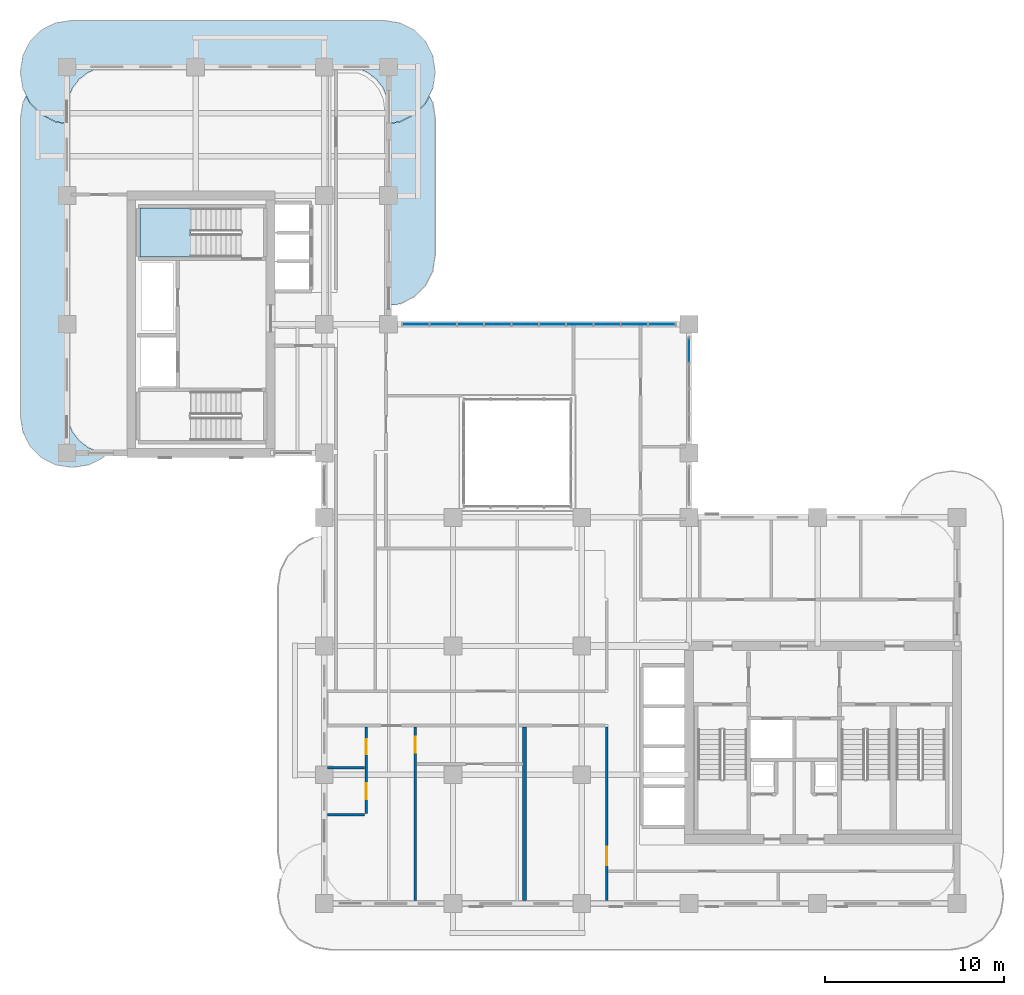
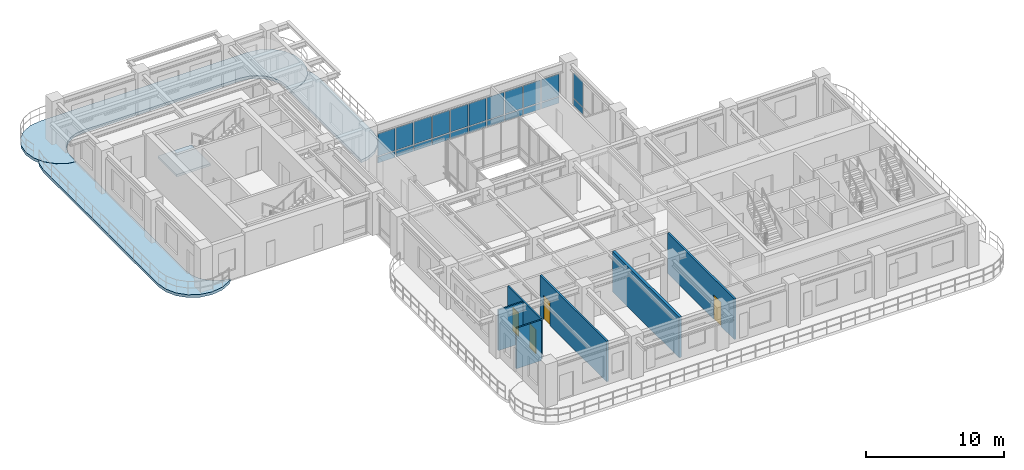
# One storey, part 10 of 20: 22 plates, 6 walls, 4 doors, 4 slabs, 4 openings, 3 elements without a shape of their own.
"""IFC4 building model written with IfcOpenShell, lengths in metres."""

from ifc_helpers import new_model, si_unit, derived_unit, direction, frame, frame_2d, origin, origin_2d, place, context, subcontext, project, spatial, polyline, rectangle, outline, extrude, source, transform, mapped, material, layer, layer_set, type_object, type_shapes, element, fill, aggregate, save


model = new_model("IFC4")

# Units and contexts
model_context = context("Model", 3, precision=1e-05, world=origin(), true_north=direction((0.0, 1.0)))
body_context = subcontext(model_context, "Body", "Model", "MODEL_VIEW")
ifc_project = project(units=[si_unit("LENGTHUNIT", "METRE"), si_unit("AREAUNIT", "SQUARE_METRE"), si_unit("VOLUMEUNIT", "CUBIC_METRE"), si_unit("PLANEANGLEUNIT", "RADIAN"), si_unit("MASSUNIT", "GRAM", prefix="KILO"), si_unit("THERMODYNAMICTEMPERATUREUNIT", "KELVIN"), si_unit("POWERUNIT", "WATT"), derived_unit("THERMALTRANSMITTANCEUNIT", [(si_unit("POWERUNIT", "WATT"), 1), (si_unit("AREAUNIT", "SQUARE_METRE"), -1), (si_unit("THERMODYNAMICTEMPERATUREUNIT", "KELVIN"), -1)])], contexts=[model_context])

# Site, building, storey
site_placement = place(None, origin())
site = spatial("IfcSite", under=ifc_project, at=site_placement, CompositionType="ELEMENT")
building_placement = place(site_placement, origin())
building = spatial("IfcBuilding", under=site, at=building_placement, Name="Zahravan Archway Hotel and Residences", CompositionType="ELEMENT")
storey_placement = place(building_placement, frame((0.0, 0.0, 154.14990234375)))
storey = spatial("IfcBuildingStorey", under=building, at=storey_placement, Name="L38", CompositionType="ELEMENT", Elevation=154.14990234375)

# Slabs
ifc_material_1 = material(Name="Concrete C45/55", Category="concrete")
ifc_layer_1 = layer(ifc_material_1, 0.25, Name="Concrete C45/55", Category="concrete")
ifc_layer_set_1 = layer_set([ifc_layer_1], Name="Concrete C45/55")
slab_type_1 = type_object("IfcSlabType", Name="SLB-BALC-250", PredefinedType="FLOOR", material=ifc_layer_set_1)
slab_1_placement = place(storey_placement, frame((0.0, 0.0, -0.25)))
element("IfcSlab", 1, at=slab_1_placement, inside=storey, type_object=slab_type_1, Name="L38 Wing B North Rounded Balcony Band", PredefinedType="FLOOR", context=body_context, shape_type="SweptSolid", body=[
    extrude(outline(polyline([(-0.630615234375, 43.739501953125), (-1.42529296875, 44.144287109375), (-2.0556640625, 44.77490234375), (-2.46044921875, 45.5693359375), (-2.60009765625, 46.449951171875), (-2.60009765625, 46.550048828125), (-2.46044921875, 47.4306640625), (-2.0556640625, 48.22509765625), (-1.42529296875, 48.855712890625), (-0.630615234375, 49.260498046875), (0.25, 49.39990234375), (17.75, 49.39990234375), (18.630615234375, 49.260498046875), (19.42529296875, 48.855712890625), (20.0556640625, 48.22509765625), (20.46044921875, 47.4306640625), (20.60009765625, 46.550048828125), (20.60009765625, 46.449951171875), (20.46044921875, 45.5693359375), (20.0556640625, 44.77490234375), (19.42529296875, 44.144287109375), (18.630615234375, 43.739501953125), (18.02001953125, 43.642822265625), (18.02001953125, 44.39990234375), (18.019775390625, 44.402587890625), (17.93798828125, 45.023681640625), (17.937744140625, 45.025390625), (17.937255859375, 45.027099609375), (17.936767578125, 45.02880859375), (17.697021484375, 45.607666015625), (17.6962890625, 45.609130859375), (17.6953125, 45.610595703125), (17.6943359375, 45.6123046875), (17.31298828125, 46.109375), (17.311767578125, 46.110595703125), (17.310546875, 46.11181640625), (17.309326171875, 46.113037109375), (16.812255859375, 46.494384765625), (16.810791015625, 46.495361328125), (16.80908203125, 46.49609375), (16.8076171875, 46.4970703125), (16.22900390625, 46.73681640625), (16.227294921875, 46.7373046875), (16.2255859375, 46.73779296875), (16.223876953125, 46.738037109375), (15.6025390625, 46.81982421875), (15.60009765625, 46.820068359375), (2.39990234375, 46.820068359375), (2.3974609375, 46.81982421875), (1.776123046875, 46.738037109375), (1.7744140625, 46.73779296875), (1.772705078125, 46.7373046875), (1.77099609375, 46.73681640625), (1.1923828125, 46.4970703125), (1.19091796875, 46.49609375), (1.189208984375, 46.495361328125), (1.187744140625, 46.494384765625), (0.690673828125, 46.113037109375), (0.689453125, 46.11181640625), (0.688232421875, 46.110595703125), (0.68701171875, 46.109375), (0.3056640625, 45.6123046875), (0.3046875, 45.610595703125), (0.3037109375, 45.609130859375), (0.302978515625, 45.607666015625), (0.063232421875, 45.02880859375), (0.062744140625, 45.027099609375), (0.062255859375, 45.025390625), (0.06201171875, 45.023681640625), (-0.019775390625, 44.402587890625), (-0.02001953125, 44.39990234375), (-0.02001953125, 43.642822265625), (-0.630615234375, 43.739501953125)])), origin(), (0.0, 0.0, 1.0), 0.25),
])
slab_2_placement = place(storey_placement, frame((0.0, 0.0, -0.25)))
element("IfcSlab", 2, at=slab_2_placement, inside=storey, type_object=slab_type_1, Name="L38 Wing B West Rounded Balcony Band", PredefinedType="FLOOR", context=body_context, shape_type="SweptSolid", body=[
    extrude(outline(polyline([(2.025146484375, 24.9443359375), (1.230712890625, 24.53955078125), (0.35009765625, 24.39990234375), (0.25, 24.39990234375), (-0.630615234375, 24.53955078125), (-1.42529296875, 24.9443359375), (-2.0556640625, 25.57470703125), (-2.46044921875, 26.369384765625), (-2.60009765625, 27.25), (-2.60009765625, 43.949951171875), (-2.46044921875, 44.830810546875), (-2.28369140625, 45.177978515625), (-2.073486328125, 44.765625), (-2.072509765625, 44.763916015625), (-2.0712890625, 44.76220703125), (-2.06982421875, 44.7607421875), (-1.439208984375, 44.130126953125), (-1.437744140625, 44.12890625), (-1.43603515625, 44.12744140625), (-1.434326171875, 44.12646484375), (-0.639892578125, 43.7216796875), (-0.637939453125, 43.720703125), (-0.635986328125, 43.72021484375), (-0.6337890625, 43.7197265625), (-0.023193359375, 43.623046875), (-0.021240234375, 43.622802734375), (-0.02001953125, 43.622802734375), (-0.02001953125, 27.60009765625), (-0.019775390625, 27.597412109375), (0.06201171875, 26.976318359375), (0.062255859375, 26.974609375), (0.062744140625, 26.972900390625), (0.063232421875, 26.97119140625), (0.302978515625, 26.392333984375), (0.3037109375, 26.390869140625), (0.3046875, 26.389404296875), (0.3056640625, 26.3876953125), (0.68701171875, 25.890625), (0.688232421875, 25.889404296875), (0.689453125, 25.88818359375), (0.690673828125, 25.886962890625), (1.187744140625, 25.505615234375), (1.189208984375, 25.504638671875), (1.19091796875, 25.50390625), (1.1923828125, 25.5029296875), (1.77099609375, 25.26318359375), (1.772705078125, 25.2626953125), (1.7744140625, 25.26220703125), (1.776123046875, 25.261962890625), (2.27685546875, 25.196044921875), (2.025146484375, 24.9443359375)])), origin(), (0.0, 0.0, 1.0), 0.25),
])
slab_3_placement = place(storey_placement, frame((0.0, 0.0, -0.25)))
element("IfcSlab", 3, at=slab_3_placement, inside=storey, type_object=slab_type_1, Name="L38 Wing B East Rounded Balcony Band", PredefinedType="FLOOR", context=body_context, shape_type="SweptSolid", body=[
    extrude(outline(polyline([(20.46044921875, 44.830810546875), (20.60009765625, 43.949951171875), (20.60009765625, 36.25), (20.46044921875, 35.369384765625), (20.0556640625, 34.57470703125), (19.42529296875, 33.9443359375), (18.630615234375, 33.53955078125), (18.02001953125, 33.44287109375), (18.02001953125, 43.622802734375), (18.021240234375, 43.622802734375), (18.023193359375, 43.623046875), (18.6337890625, 43.7197265625), (18.635986328125, 43.72021484375), (18.637939453125, 43.720703125), (18.639892578125, 43.7216796875), (19.434326171875, 44.12646484375), (19.43603515625, 44.12744140625), (19.437744140625, 44.12890625), (19.439208984375, 44.130126953125), (20.06982421875, 44.7607421875), (20.0712890625, 44.76220703125), (20.072509765625, 44.763916015625), (20.073486328125, 44.765625), (20.28369140625, 45.177978515625), (20.46044921875, 44.830810546875)])), origin(), (0.0, 0.0, 1.0), 0.25),
])

# Stair, slab
ifc_material_2 = material(Name="Concrete C50/60", Category="concrete")
stair_type = type_object("IfcStairType", Name="STR-CORE-1300", PredefinedType="HALF_TURN_STAIR", material=ifc_material_2)
stair_placement = place(storey_placement, origin())
stair = element("IfcStair", 4, at=stair_placement, inside=storey, type_object=stair_type, Name="L38 Core B Exit Stair 2", PredefinedType="HALF_TURN_STAIR")
ifc_layer_2 = layer(ifc_material_2, 0.199951171875, Name="Concrete C50/60", Category="concrete")
ifc_layer_set_2 = layer_set([ifc_layer_2], Name="Concrete C50/60")
slab_type_2 = type_object("IfcSlabType", Name="SLB-LND-200", PredefinedType="LANDING", material=ifc_layer_set_2)
slab_4_placement = place(storey_placement, frame((0.0, 0.0, 1.72509765625)))
slab_4 = element("IfcSlab", 5, at=slab_4_placement, type_object=slab_type_2, Name="ST-B2 landing 1", PredefinedType="LANDING", context=body_context, shape_type="SweptSolid", body=[
    extrude(outline(polyline([(6.929931640625, 38.89990234375), (4.10009765625, 38.89990234375), (4.10009765625, 36.159912109375), (6.929931640625, 36.159912109375), (6.929931640625, 38.89990234375)])), origin(), (0.0, 0.0, 1.0), 0.199951171875),
])
aggregate(stair, [slab_4])

# Curtain wall, plates
ifc_material_3 = material(Name="Bronze-Anodized Unitised Aluminium & Low-E Glass", Category="aluminium")
ifc_layer_3 = layer(ifc_material_3, 0.179931640625, Name="Bronze-Anodized Unitised Aluminium & Low-E Glass", Category="aluminium")
ifc_layer_set_3 = layer_set([ifc_layer_3], Name="Bronze-Anodized Unitised Aluminium & Low-E Glass")
curtain_wall_type = type_object("IfcCurtainWallType", Name="CW-ATR-GLAZ", PredefinedType="NOTDEFINED", material=ifc_layer_set_3)
curtain_wall_1_placement = place(storey_placement, origin())
curtain_wall_1 = element("IfcCurtainWall", 6, at=curtain_wall_1_placement, inside=storey, type_object=curtain_wall_type, Name="L38 Curtain Wall CW-L38-HNG-N-1", PredefinedType="NOTDEFINED")
ifc_material_4 = material(Name="Insulated Terracotta Spandrel Panel", Category="masonry")
ifc_layer_4 = layer(ifc_material_4, 0.0400390625, Name="Insulated Terracotta Spandrel Panel", Category="masonry")
ifc_layer_set_4 = layer_set([ifc_layer_4], Name="Insulated Terracotta Spandrel Panel")
plate_type_1 = type_object("IfcPlateType", Name="CWP-SPN-40", PredefinedType="SHEET", material=ifc_layer_set_4)
shared_shape_1 = source(origin(), body_context, "Body", "SweptSolid", [
    extrude(rectangle(XDim=1.447998046875, YDim=0.0400390625, at=origin_2d()), origin(), (0.0, 0.0, 1.0), 0.5283203125),
])
plate_1_placement = place(storey_placement, frame((19.52392578125, 32.39990234375, 0.10009765625), z_axis=(0.0, 0.0, 1.0), x_axis=(1.0, 0.0, 0.0)))
plate_1 = element("IfcPlate", 7, at=plate_1_placement, type_object=plate_type_1, Name="CW-L38-HNG-N-1 Spandrel Panel 0", PredefinedType="SHEET", context=body_context, shape_type="MappedRepresentation", body=[
    mapped(shared_shape_1, transform((0.0, 0.0, 0.0), scale=1.0)),
])
plate_2_placement = place(storey_placement, frame((21.052001953125, 32.39990234375, 0.10009765625), z_axis=(0.0, 0.0, 1.0), x_axis=(1.0, 0.0, 0.0)))
plate_2 = element("IfcPlate", 8, at=plate_2_placement, type_object=plate_type_1, Name="CW-L38-HNG-N-1 Spandrel Panel 1", PredefinedType="SHEET", context=body_context, shape_type="MappedRepresentation", body=[
    mapped(shared_shape_1, transform((0.0, 0.0, 0.0), scale=1.0)),
])
plate_3_placement = place(storey_placement, frame((22.580078125, 32.39990234375, 0.10009765625), z_axis=(0.0, 0.0, 1.0), x_axis=(1.0, 0.0, 0.0)))
plate_3 = element("IfcPlate", 9, at=plate_3_placement, type_object=plate_type_1, Name="CW-L38-HNG-N-1 Spandrel Panel 2", PredefinedType="SHEET", context=body_context, shape_type="MappedRepresentation", body=[
    mapped(shared_shape_1, transform((0.0, 0.0, 0.0), scale=1.0)),
])
plate_4_placement = place(storey_placement, frame((24.10791015625, 32.39990234375, 0.10009765625), z_axis=(0.0, 0.0, 1.0), x_axis=(1.0, 0.0, 0.0)))
plate_4 = element("IfcPlate", 10, at=plate_4_placement, type_object=plate_type_1, Name="CW-L38-HNG-N-1 Spandrel Panel 3", PredefinedType="SHEET", context=body_context, shape_type="MappedRepresentation", body=[
    mapped(shared_shape_1, transform((0.0, 0.0, 0.0), scale=1.0)),
])
plate_5_placement = place(storey_placement, frame((25.635986328125, 32.39990234375, 0.10009765625), z_axis=(0.0, 0.0, 1.0), x_axis=(1.0, 0.0, 0.0)))
plate_5 = element("IfcPlate", 11, at=plate_5_placement, type_object=plate_type_1, Name="CW-L38-HNG-N-1 Spandrel Panel 4", PredefinedType="SHEET", context=body_context, shape_type="MappedRepresentation", body=[
    mapped(shared_shape_1, transform((0.0, 0.0, 0.0), scale=1.0)),
])
plate_6_placement = place(storey_placement, frame((27.1640625, 32.39990234375, 0.10009765625), z_axis=(0.0, 0.0, 1.0), x_axis=(1.0, 0.0, 0.0)))
plate_6 = element("IfcPlate", 12, at=plate_6_placement, type_object=plate_type_1, Name="CW-L38-HNG-N-1 Spandrel Panel 5", PredefinedType="SHEET", context=body_context, shape_type="MappedRepresentation", body=[
    mapped(shared_shape_1, transform((0.0, 0.0, 0.0), scale=1.0)),
])
plate_7_placement = place(storey_placement, frame((28.69189453125, 32.39990234375, 0.10009765625), z_axis=(0.0, 0.0, 1.0), x_axis=(1.0, 0.0, 0.0)))
plate_7 = element("IfcPlate", 13, at=plate_7_placement, type_object=plate_type_1, Name="CW-L38-HNG-N-1 Spandrel Panel 6", PredefinedType="SHEET", context=body_context, shape_type="MappedRepresentation", body=[
    mapped(shared_shape_1, transform((0.0, 0.0, 0.0), scale=1.0)),
])
plate_8_placement = place(storey_placement, frame((30.219970703125, 32.39990234375, 0.10009765625), z_axis=(0.0, 0.0, 1.0), x_axis=(1.0, 0.0, 0.0)))
plate_8 = element("IfcPlate", 14, at=plate_8_placement, type_object=plate_type_1, Name="CW-L38-HNG-N-1 Spandrel Panel 7", PredefinedType="SHEET", context=body_context, shape_type="MappedRepresentation", body=[
    mapped(shared_shape_1, transform((0.0, 0.0, 0.0), scale=1.0)),
])
plate_9_placement = place(storey_placement, frame((31.748046875, 32.39990234375, 0.10009765625), z_axis=(0.0, 0.0, 1.0), x_axis=(1.0, 0.0, 0.0)))
plate_9 = element("IfcPlate", 15, at=plate_9_placement, type_object=plate_type_1, Name="CW-L38-HNG-N-1 Spandrel Panel 8", PredefinedType="SHEET", context=body_context, shape_type="MappedRepresentation", body=[
    mapped(shared_shape_1, transform((0.0, 0.0, 0.0), scale=1.0)),
])
plate_10_placement = place(storey_placement, frame((33.27587890625, 32.39990234375, 0.10009765625), z_axis=(0.0, 0.0, 1.0), x_axis=(1.0, 0.0, 0.0)))
plate_10 = element("IfcPlate", 16, at=plate_10_placement, type_object=plate_type_1, Name="CW-L38-HNG-N-1 Spandrel Panel 9", PredefinedType="SHEET", context=body_context, shape_type="MappedRepresentation", body=[
    mapped(shared_shape_1, transform((0.0, 0.0, 0.0), scale=1.0)),
])
ifc_material_5 = material(Name="Double-Silver Low-E Insulated Vision Glass", Category="glass")
ifc_layer_5 = layer(ifc_material_5, 0.028076171875, Name="Double-Silver Low-E Insulated Vision Glass", Category="glass")
ifc_layer_set_5 = layer_set([ifc_layer_5], Name="Double-Silver Low-E Insulated Vision Glass")
plate_type_2 = type_object("IfcPlateType", Name="CWP-GLZ-28", PredefinedType="CURTAIN_PANEL", material=ifc_layer_set_5)
shared_shape_2 = source(origin(), body_context, "Body", "SweptSolid", [
    extrude(rectangle(XDim=1.447998046875, YDim=0.028076171875, at=origin_2d()), origin(), (0.0, 0.0, 1.0), 1.9765625),
])
plate_11_placement = place(storey_placement, frame((19.52392578125, 32.39990234375, 0.70849609375), z_axis=(0.0, 0.0, 1.0), x_axis=(1.0, 0.0, 0.0)))
plate_11 = element("IfcPlate", 17, at=plate_11_placement, type_object=plate_type_2, Name="CW-L38-HNG-N-1 Low-E Vision Panel 0", PredefinedType="CURTAIN_PANEL", context=body_context, shape_type="MappedRepresentation", body=[
    mapped(shared_shape_2, transform((0.0, 0.0, 0.0), scale=1.0)),
])
plate_12_placement = place(storey_placement, frame((21.052001953125, 32.39990234375, 0.70849609375), z_axis=(0.0, 0.0, 1.0), x_axis=(1.0, 0.0, 0.0)))
plate_12 = element("IfcPlate", 18, at=plate_12_placement, type_object=plate_type_2, Name="CW-L38-HNG-N-1 Low-E Vision Panel 1", PredefinedType="CURTAIN_PANEL", context=body_context, shape_type="MappedRepresentation", body=[
    mapped(shared_shape_2, transform((0.0, 0.0, 0.0), scale=1.0)),
])
plate_13_placement = place(storey_placement, frame((22.580078125, 32.39990234375, 0.70849609375), z_axis=(0.0, 0.0, 1.0), x_axis=(1.0, 0.0, 0.0)))
plate_13 = element("IfcPlate", 19, at=plate_13_placement, type_object=plate_type_2, Name="CW-L38-HNG-N-1 Low-E Vision Panel 2", PredefinedType="CURTAIN_PANEL", context=body_context, shape_type="MappedRepresentation", body=[
    mapped(shared_shape_2, transform((0.0, 0.0, 0.0), scale=1.0)),
])
plate_14_placement = place(storey_placement, frame((24.10791015625, 32.39990234375, 0.70849609375), z_axis=(0.0, 0.0, 1.0), x_axis=(1.0, 0.0, 0.0)))
plate_14 = element("IfcPlate", 20, at=plate_14_placement, type_object=plate_type_2, Name="CW-L38-HNG-N-1 Low-E Vision Panel 3", PredefinedType="CURTAIN_PANEL", context=body_context, shape_type="MappedRepresentation", body=[
    mapped(shared_shape_2, transform((0.0, 0.0, 0.0), scale=1.0)),
])
plate_15_placement = place(storey_placement, frame((25.635986328125, 32.39990234375, 0.70849609375), z_axis=(0.0, 0.0, 1.0), x_axis=(1.0, 0.0, 0.0)))
plate_15 = element("IfcPlate", 21, at=plate_15_placement, type_object=plate_type_2, Name="CW-L38-HNG-N-1 Low-E Vision Panel 4", PredefinedType="CURTAIN_PANEL", context=body_context, shape_type="MappedRepresentation", body=[
    mapped(shared_shape_2, transform((0.0, 0.0, 0.0), scale=1.0)),
])
plate_16_placement = place(storey_placement, frame((27.1640625, 32.39990234375, 0.70849609375), z_axis=(0.0, 0.0, 1.0), x_axis=(1.0, 0.0, 0.0)))
plate_16 = element("IfcPlate", 22, at=plate_16_placement, type_object=plate_type_2, Name="CW-L38-HNG-N-1 Low-E Vision Panel 5", PredefinedType="CURTAIN_PANEL", context=body_context, shape_type="MappedRepresentation", body=[
    mapped(shared_shape_2, transform((0.0, 0.0, 0.0), scale=1.0)),
])
plate_17_placement = place(storey_placement, frame((28.69189453125, 32.39990234375, 0.70849609375), z_axis=(0.0, 0.0, 1.0), x_axis=(1.0, 0.0, 0.0)))
plate_17 = element("IfcPlate", 23, at=plate_17_placement, type_object=plate_type_2, Name="CW-L38-HNG-N-1 Low-E Vision Panel 6", PredefinedType="CURTAIN_PANEL", context=body_context, shape_type="MappedRepresentation", body=[
    mapped(shared_shape_2, transform((0.0, 0.0, 0.0), scale=1.0)),
])
plate_18_placement = place(storey_placement, frame((30.219970703125, 32.39990234375, 0.70849609375), z_axis=(0.0, 0.0, 1.0), x_axis=(1.0, 0.0, 0.0)))
plate_18 = element("IfcPlate", 24, at=plate_18_placement, type_object=plate_type_2, Name="CW-L38-HNG-N-1 Low-E Vision Panel 7", PredefinedType="CURTAIN_PANEL", context=body_context, shape_type="MappedRepresentation", body=[
    mapped(shared_shape_2, transform((0.0, 0.0, 0.0), scale=1.0)),
])
plate_19_placement = place(storey_placement, frame((31.748046875, 32.39990234375, 0.70849609375), z_axis=(0.0, 0.0, 1.0), x_axis=(1.0, 0.0, 0.0)))
plate_19 = element("IfcPlate", 25, at=plate_19_placement, type_object=plate_type_2, Name="CW-L38-HNG-N-1 Low-E Vision Panel 8", PredefinedType="CURTAIN_PANEL", context=body_context, shape_type="MappedRepresentation", body=[
    mapped(shared_shape_2, transform((0.0, 0.0, 0.0), scale=1.0)),
])
plate_20_placement = place(storey_placement, frame((33.27587890625, 32.39990234375, 0.70849609375), z_axis=(0.0, 0.0, 1.0), x_axis=(1.0, 0.0, 0.0)))
plate_20 = element("IfcPlate", 26, at=plate_20_placement, type_object=plate_type_2, Name="CW-L38-HNG-N-1 Low-E Vision Panel 9", PredefinedType="CURTAIN_PANEL", context=body_context, shape_type="MappedRepresentation", body=[
    mapped(shared_shape_2, transform((0.0, 0.0, 0.0), scale=1.0)),
])
aggregate(curtain_wall_1, [plate_1, plate_11, plate_2, plate_12, plate_3, plate_13, plate_4, plate_14, plate_5, plate_15, plate_6, plate_16, plate_7, plate_17, plate_8, plate_18, plate_9, plate_19, plate_10, plate_20])

curtain_wall_2_placement = place(storey_placement, origin())
curtain_wall_2 = element("IfcCurtainWall", 27, at=curtain_wall_2_placement, inside=storey, type_object=curtain_wall_type, Name="L38 Curtain Wall CW-L38-HNG-E-2", PredefinedType="NOTDEFINED")
shared_shape_3 = source(origin(), body_context, "Body", "SweptSolid", [
    extrude(rectangle(XDim=1.340087890625, YDim=0.0400390625, at=origin_2d()), origin(), (0.0, 0.0, 1.0), 0.600341796875),
])
plate_21_placement = place(storey_placement, frame((34.800048828125, 30.929931640625, 0.10009765625), z_axis=(0.0, 0.0, 1.0), x_axis=(0.0, 1.0, 0.0)))
plate_21 = element("IfcPlate", 28, at=plate_21_placement, type_object=plate_type_1, Name="CW-L38-HNG-E-2 Spandrel Panel 3", PredefinedType="SHEET", context=body_context, shape_type="MappedRepresentation", body=[
    mapped(shared_shape_3, transform((0.0, 0.0, 0.0), scale=1.0)),
])
shared_shape_4 = source(origin(), body_context, "Body", "SweptSolid", [
    extrude(rectangle(XDim=1.340087890625, YDim=0.028076171875, at=origin_2d()), origin(), (0.0, 0.0, 1.0), 2.20458984375),
])
plate_22_placement = place(storey_placement, frame((34.800048828125, 30.929931640625, 0.780517578125), z_axis=(0.0, 0.0, 1.0), x_axis=(0.0, 1.0, 0.0)))
plate_22 = element("IfcPlate", 29, at=plate_22_placement, type_object=plate_type_2, Name="CW-L38-HNG-E-2 Low-E Vision Panel 3", PredefinedType="CURTAIN_PANEL", context=body_context, shape_type="MappedRepresentation", body=[
    mapped(shared_shape_4, transform((0.0, 0.0, 0.0), scale=1.0)),
])
aggregate(curtain_wall_2, [plate_21, plate_22])

# Wall
ifc_material_6 = material(Name="Fire-Rated Gypsum & Concrete Block", Category="concrete")
ifc_layer_6 = layer(ifc_material_6, 0.219970703125, Name="Fire-Rated Gypsum & Concrete Block", Category="concrete")
ifc_layer_set_6 = layer_set([ifc_layer_6], Name="Fire-Rated Gypsum & Concrete Block")
wall_type_1 = type_object("IfcWallType", Name="PW-COMP-220", PredefinedType="PARTITIONING", material=ifc_layer_set_6)
wall_1_placement = place(storey_placement, frame((25.60009765625, 0.16796875, 0.0), z_axis=(0.0, 0.0, 1.0), x_axis=(0.0, 1.0, 0.0)))
element("IfcWall", 30, at=wall_1_placement, inside=storey, type_object=wall_type_1, Name="L38 Partition WAS-R3", PredefinedType="PARTITIONING", context=body_context, shape_type="SweptSolid", body=[
    extrude(rectangle(XDim=9.692138671875, YDim=0.219970703125, at=frame_2d((4.84619140625, 0.0))), origin(), (0.0, 0.0, 1.0), 3.60009765625),
])

# Wall, opening, door
ifc_layer_7 = layer(ifc_material_6, 0.159912109375, Name="Fire-Rated Gypsum & Concrete Block", Category="concrete")
ifc_layer_set_7 = layer_set([ifc_layer_7], Name="Fire-Rated Gypsum & Concrete Block")
wall_type_2 = type_object("IfcWallType", Name="PW-CORR-160", PredefinedType="PARTITIONING", material=ifc_layer_set_7)
wall_2_placement = place(storey_placement, frame((30.199951171875, 0.16796875, 0.0), z_axis=(0.0, 0.0, 1.0), x_axis=(0.0, 1.0, 0.0)))
wall_2 = element("IfcWall", 31, at=wall_2_placement, inside=storey, type_object=wall_type_2, Name="L38 Partition WA-SRW", PredefinedType="PARTITIONING", context=body_context, shape_type="SweptSolid", body=[
    extrude(rectangle(XDim=9.692138671875, YDim=0.159912109375, at=frame_2d((4.84619140625, 0.0))), origin(), (0.0, 0.0, 1.0), 3.60009765625),
])
opening_1_placement = place(wall_2_placement, frame((1.95703125, 0.0, 0.0)))
opening_1 = element("IfcOpeningElement", 32, at=opening_1_placement, cuts=wall_2, Name="Opening FD-L2", PredefinedType="OPENING", context=body_context, shape_type="SweptSolid", body=[
    extrude(rectangle(XDim=1.050048828125, YDim=2.14990234375, at=frame_2d((0.52490234375, 1.074951171875))), frame((0.0, 0.08984375, 0.0), z_axis=(0.0, -1.0, 0.0), x_axis=(1.0, 0.0, 0.0)), (0.0, 0.0, 1.0), 0.179931640625),
])
ifc_material_7 = material(Name="Fire-Rated Painted Steel", Category="steel")
door_type_1 = type_object("IfcDoorType", Name="FD-LOBBY-1100", OperationType="NOTDEFINED", PredefinedType="DOOR", material=ifc_material_7)
shared_shape_5 = source(origin(), body_context, "Body", "SweptSolid", [
    extrude(rectangle(XDim=1.050048828125, YDim=2.14990234375, at=frame_2d((0.52490234375, 1.074951171875))), frame((0.0, 0.02490234375, 0.0), z_axis=(0.0, -1.0, 0.0), x_axis=(1.0, 0.0, 0.0)), (0.0, 0.0, 1.0), 0.050048828125),
])
type_shapes(door_type_1, [shared_shape_5])
door_1_placement = place(opening_1_placement, origin())
door_1 = element("IfcDoor", 33, at=door_1_placement, inside=storey, type_object=door_type_1, Name="L38 South Riser Corridor Door", OperationType="SINGLE_SWING_LEFT", OverallHeight=2.14990234375, OverallWidth=1.050048828125, PredefinedType="DOOR", context=body_context, shape_type="MappedRepresentation", body=[
    mapped(shared_shape_5, transform((0.0, 0.0, 0.0), scale=1.0)),
])
fill(opening_1, door_1)

ifc_material_8 = material(Name="Acoustic Stud Partition")
ifc_layer_8 = layer(ifc_material_8, 0.14990234375, Name="Acoustic Stud Partition")
ifc_layer_set_8 = layer_set([ifc_layer_8], Name="Acoustic Stud Partition")
wall_type_3 = type_object("IfcWallType", Name="PW-UNIT-150", PredefinedType="PARTITIONING", material=ifc_layer_set_8)
wall_3_placement = place(storey_placement, frame((19.47998046875, 0.16796875, 0.0), z_axis=(0.0, 0.0, 1.0), x_axis=(0.0, 1.0, 0.0)))
wall_3 = element("IfcWall", 34, at=wall_3_placement, inside=storey, type_object=wall_type_3, Name="L38 Partition FL-S1-SP", PredefinedType="PARTITIONING", context=body_context, shape_type="SweptSolid", body=[
    extrude(rectangle(XDim=9.692138671875, YDim=0.14990234375, at=frame_2d((4.84619140625, 0.0))), origin(), (0.0, 0.0, 1.0), 3.60009765625),
])
opening_2_placement = place(wall_3_placement, frame((8.257080078125, 0.0, 0.0)))
opening_2 = element("IfcOpeningElement", 35, at=opening_2_placement, cuts=wall_3, Name="Opening D-I2", PredefinedType="OPENING", context=body_context, shape_type="SweptSolid", body=[
    extrude(rectangle(XDim=0.89990234375, YDim=2.14990234375, at=frame_2d((0.449951171875, 1.074951171875))), frame((0.0, 0.0849609375, 0.0), z_axis=(0.0, -1.0, 0.0), x_axis=(1.0, 0.0, 0.0)), (0.0, 0.0, 1.0), 0.169921875),
])
ifc_material_9 = material(Name="Hardwood Veneer Timber", Category="wood")
door_type_2 = type_object("IfcDoorType", Name="ID-INT-900", OperationType="NOTDEFINED", PredefinedType="DOOR", material=ifc_material_9)
shared_shape_6 = source(origin(), body_context, "Body", "SweptSolid", [
    extrude(rectangle(XDim=0.89990234375, YDim=2.14990234375, at=frame_2d((0.449951171875, 1.074951171875))), frame((0.0, 0.02490234375, 0.0), z_axis=(0.0, -1.0, 0.0), x_axis=(1.0, 0.0, 0.0)), (0.0, 0.0, 1.0), 0.050048828125),
])
type_shapes(door_type_2, [shared_shape_6])
door_2_placement = place(opening_2_placement, origin())
door_2 = element("IfcDoor", 36, at=door_2_placement, inside=storey, type_object=door_type_2, Name="L38 Flat S1 Bedroom Hall Door", OperationType="SINGLE_SWING_LEFT", OverallHeight=2.14990234375, OverallWidth=0.89990234375, PredefinedType="DOOR", context=body_context, shape_type="MappedRepresentation", body=[
    mapped(shared_shape_6, transform((0.0, 0.0, 0.0), scale=1.0)),
])
fill(opening_2, door_2)

# Wall, openings, doors
ifc_material_10 = material(Name="Moisture-Resistant Blockwork", Category="masonry")
ifc_layer_9 = layer(ifc_material_10, 0.139892578125, Name="Moisture-Resistant Blockwork", Category="masonry")
ifc_layer_set_9 = layer_set([ifc_layer_9], Name="Moisture-Resistant Blockwork")
wall_type_4 = type_object("IfcWallType", Name="PW-WET-140", PredefinedType="PARTITIONING", material=ifc_layer_set_9)
wall_4_placement = place(storey_placement, frame((16.75, 5.0400390625, 0.0), z_axis=(0.0, 0.0, 1.0), x_axis=(0.0, 1.0, 0.0)))
wall_4 = element("IfcWall", 37, at=wall_4_placement, inside=storey, type_object=wall_type_4, Name="L38 Partition FL-S1-BV", PredefinedType="PARTITIONING", context=body_context, shape_type="SweptSolid", body=[
    extrude(rectangle(XDim=4.820068359375, YDim=0.139892578125, at=frame_2d((2.41015625, 0.0))), origin(), (0.0, 0.0, 1.0), 3.60009765625),
])
opening_3_placement = place(wall_4_placement, frame((0.784912109375, 0.0, 0.0)))
opening_3 = element("IfcOpeningElement", 38, at=opening_3_placement, cuts=wall_4, Name="Opening D-I2", PredefinedType="OPENING", context=body_context, shape_type="SweptSolid", body=[
    extrude(rectangle(XDim=0.89990234375, YDim=2.14990234375, at=frame_2d((0.449951171875, 1.074951171875))), frame((0.0, 0.080078125, 0.0), z_axis=(0.0, -1.0, 0.0), x_axis=(1.0, 0.0, 0.0)), (0.0, 0.0, 1.0), 0.159912109375),
])
opening_4_placement = place(wall_4_placement, frame((3.31005859375, 0.0, 0.0)))
opening_4 = element("IfcOpeningElement", 39, at=opening_4_placement, cuts=wall_4, Name="Opening D-B1", PredefinedType="OPENING", context=body_context, shape_type="SweptSolid", body=[
    extrude(rectangle(XDim=0.85009765625, YDim=2.10009765625, at=frame_2d((0.425048828125, 1.050048828125))), frame((0.0, 0.080078125, 0.0), z_axis=(0.0, -1.0, 0.0), x_axis=(1.0, 0.0, 0.0)), (0.0, 0.0, 1.0), 0.159912109375),
])
door_type_3 = type_object("IfcDoorType", Name="ID-BATH-850", OperationType="NOTDEFINED", PredefinedType="DOOR", material=ifc_material_9)
shared_shape_7 = source(origin(), body_context, "Body", "SweptSolid", [
    extrude(rectangle(XDim=0.85009765625, YDim=2.10009765625, at=frame_2d((0.425048828125, 1.050048828125))), frame((0.0, 0.02490234375, 0.0), z_axis=(0.0, -1.0, 0.0), x_axis=(1.0, 0.0, 0.0)), (0.0, 0.0, 1.0), 0.050048828125),
])
type_shapes(door_type_3, [shared_shape_7])
door_3_placement = place(opening_4_placement, origin())
door_3 = element("IfcDoor", 40, at=door_3_placement, inside=storey, type_object=door_type_3, Name="L38 Flat S1 Bathroom Door", OperationType="SINGLE_SWING_LEFT", OverallHeight=2.10009765625, OverallWidth=0.85009765625, PredefinedType="DOOR", context=body_context, shape_type="MappedRepresentation", body=[
    mapped(shared_shape_7, transform((0.0, 0.0, 0.0), scale=1.0)),
])
fill(opening_4, door_3)
door_4_placement = place(opening_3_placement, origin())
door_4 = element("IfcDoor", 41, at=door_4_placement, inside=storey, type_object=door_type_2, Name="L38 Flat S1 Kitchen Door", OperationType="SINGLE_SWING_RIGHT", OverallHeight=2.14990234375, OverallWidth=0.89990234375, PredefinedType="DOOR", context=body_context, shape_type="MappedRepresentation", body=[
    mapped(shared_shape_6, transform((0.0, 0.0, 0.0), scale=1.0)),
])
fill(opening_3, door_4)

# Walls
wall_5_placement = place(storey_placement, frame((14.590087890625, 7.60009765625, 0.0), z_axis=(0.0, 0.0, 1.0), x_axis=(1.0, 0.0, 0.0)))
element("IfcWall", 42, at=wall_5_placement, inside=storey, type_object=wall_type_4, Name="L38 Partition FL-S1-BM", PredefinedType="PARTITIONING", context=body_context, shape_type="SweptSolid", body=[
    extrude(rectangle(XDim=2.06982421875, YDim=0.139892578125, at=frame_2d((1.034912109375, 0.0))), origin(), (0.0, 0.0, 1.0), 3.60009765625),
])
wall_6_placement = place(storey_placement, frame((14.568115234375, 4.949951171875, 0.0), z_axis=(0.0, 0.0, 1.0), x_axis=(1.0, 0.0, 0.0)))
element("IfcWall", 43, at=wall_6_placement, inside=storey, type_object=wall_type_4, Name="L38 Partition FL-S1-KH", PredefinedType="PARTITIONING", context=body_context, shape_type="SweptSolid", body=[
    extrude(rectangle(XDim=2.091796875, YDim=0.139892578125, at=frame_2d((1.0458984375, 0.0))), origin(), (0.0, 0.0, 1.0), 3.60009765625),
])

save(model, "model.ifc")
